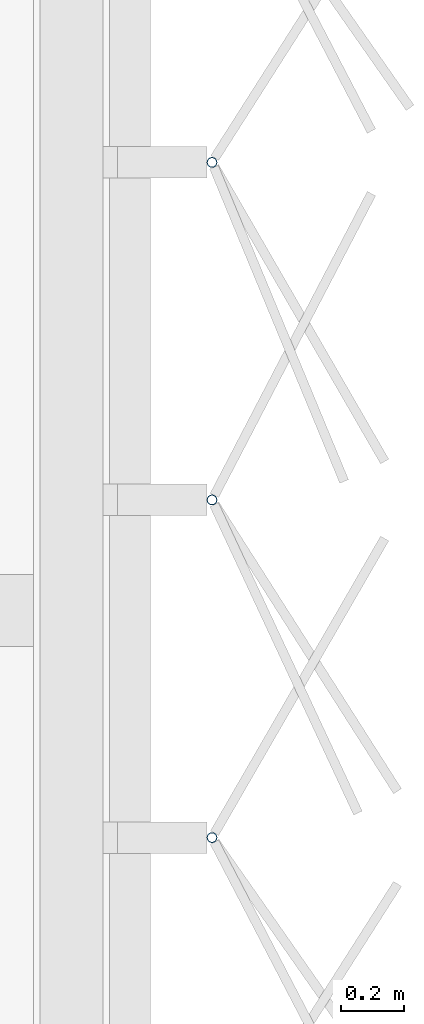
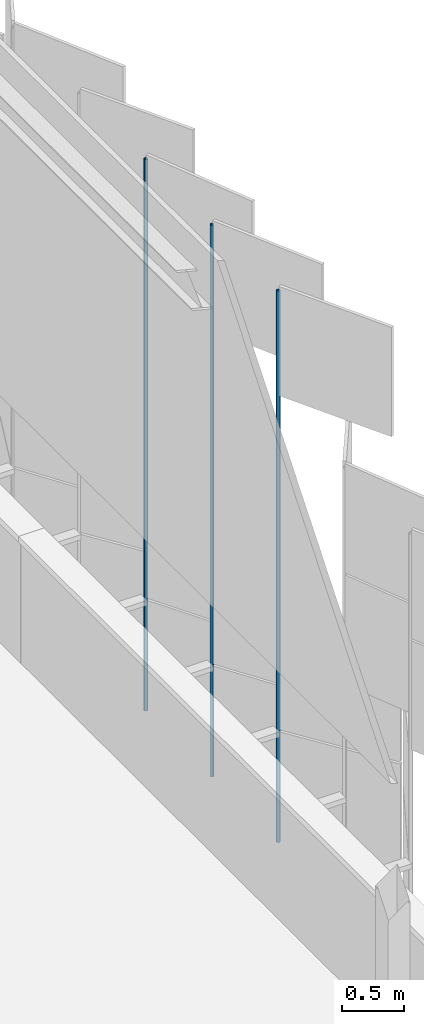
# One storey, part 183 of 483: 3 discrete accessories.
"""IFC4 building model written with IfcOpenShell, lengths in metres."""

from ifc_helpers import new_model, si_unit, direction, frame, origin, origin_2d, place, context, subcontext, project, spatial, hollow_circle, extrude, material, material_profile, profile_set, type_object, element, save


model = new_model("IFC4")

# Units and contexts
model_context = context("Model", 3, precision=1e-05, world=origin(), true_north=direction((0.0, 1.0)))
body_context = subcontext(model_context, "Body", "Model", "MODEL_VIEW")
ifc_project = project(units=[si_unit("LENGTHUNIT", "METRE"), si_unit("AREAUNIT", "SQUARE_METRE"), si_unit("VOLUMEUNIT", "CUBIC_METRE"), si_unit("PLANEANGLEUNIT", "RADIAN"), si_unit("MASSUNIT", "GRAM", prefix="KILO")], contexts=[model_context])

# Site, building, storey
site_placement = place(None, origin())
site = spatial("IfcSite", under=ifc_project, at=site_placement, CompositionType="ELEMENT")
building_placement = place(site_placement, origin())
building = spatial("IfcBuilding", under=site, at=building_placement, Name="Parallax Yard Mobility Hub", CompositionType="ELEMENT")
storey_placement = place(building_placement, frame((0.0, 0.0, 13.199951171875)))
storey = spatial("IfcBuildingStorey", under=building, at=storey_placement, Name="L04", CompositionType="ELEMENT", Elevation=13.199951171875)

# Discrete accessories
ifc_material = material(Name="Steel ASTM A500 Gr C, hot-dip galvanised", Category="steel")
ifc_material_profile = material_profile(ifc_material, hollow_circle(Radius=0.016845703125, WallThickness=0.003173828125, at=origin_2d()), Name="CHS 33.7x3.2")
ifc_profile_set = profile_set([ifc_material_profile], Name="Steel ASTM A500 Gr C, hot-dip galvanised")
discrete_accessory_type = type_object("IfcDiscreteAccessoryType", Name="Hinge post CHS 33.7x3.2", PredefinedType="BRACKET", material=ifc_profile_set)
for number, where, z_axis, x_axis, name in (
    (1, (225.300048828125, 56.77880859375, 0.0), (0.0, 0.0, 1.0), (1.0, 0.0, 0.0), "Hinge post bay 36.5 level L04"),
    (2, (225.300048828125, 57.8505859375, 0.0), (0.0, 0.0, 1.0), (1.0, 0.0, 0.0), "Hinge post bay 36.6 level L04"),
    (3, (225.300048828125, 58.922119140625, 0.0), (0.0, 0.0, 1.0), (1.0, 0.0, 0.0), "Hinge post bay 36.7 level L04"),
):
    element("IfcDiscreteAccessory", number, at=place(storey_placement, frame(where, z_axis=z_axis, x_axis=x_axis)), inside=storey, type_object=discrete_accessory_type, Name=name, PredefinedType="BRACKET", context=body_context, shape_type="SweptSolid", body=[
        extrude(hollow_circle(Radius=0.016845703125, WallThickness=0.003173828125, at=origin_2d()), origin(), (0.0, 0.0, 1.0), 5.449951171875),
    ])

save(model, "model.ifc")
